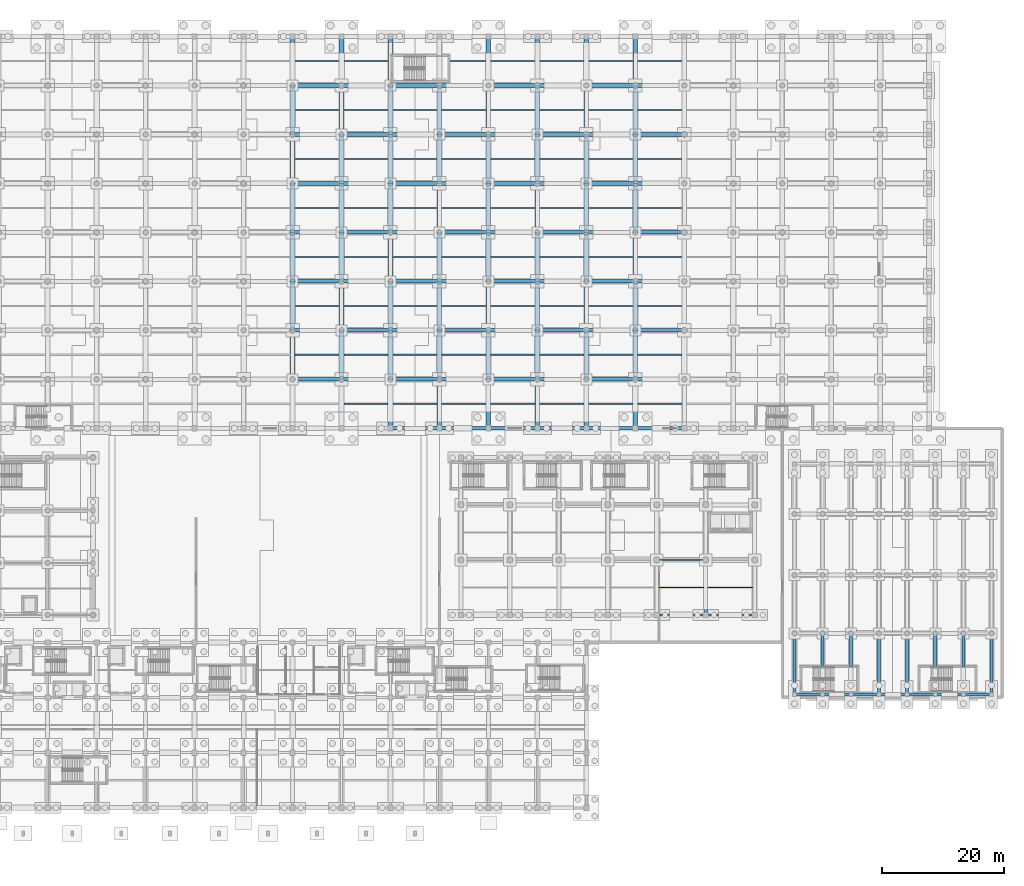
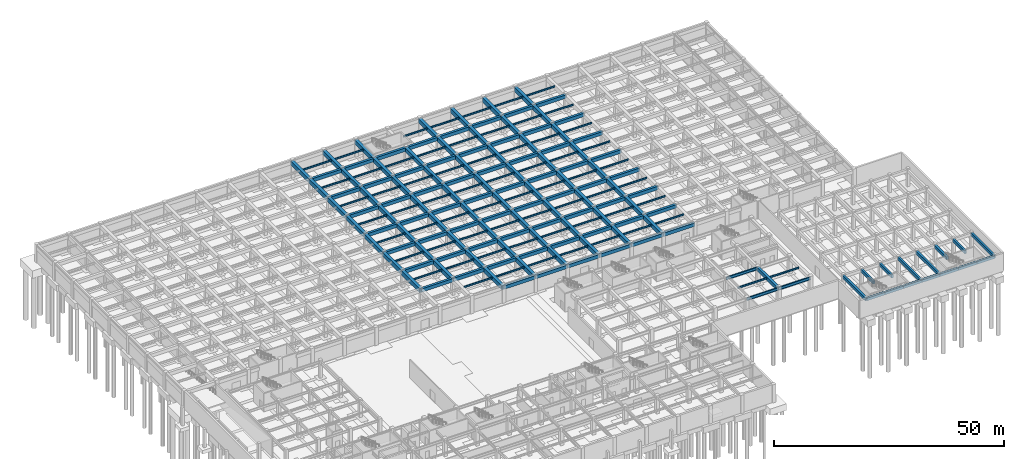
# One storey, part 21 of 48: 206 beams.
"""IFC4 building model written with IfcOpenShell, lengths in metres."""

from ifc_helpers import new_model, si_unit, direction, frame, origin, origin_2d, place, context, subcontext, project, spatial, rectangle, i_section, extrude, material, material_profile, profile_set, type_object, element, save


model = new_model("IFC4")

# Units and contexts
model_context = context("Model", 3, precision=1e-05, world=origin(), true_north=direction((0.0, 1.0)))
body_context = subcontext(model_context, "Body", "Model", "MODEL_VIEW")
ifc_project = project(units=[si_unit("LENGTHUNIT", "METRE"), si_unit("AREAUNIT", "SQUARE_METRE"), si_unit("VOLUMEUNIT", "CUBIC_METRE"), si_unit("PLANEANGLEUNIT", "RADIAN"), si_unit("MASSUNIT", "GRAM", prefix="KILO")], contexts=[model_context])

# Site, building, storey
site_placement = place(None, origin())
site = spatial("IfcSite", under=ifc_project, at=site_placement, CompositionType="ELEMENT")
building_placement = place(site_placement, origin())
building = spatial("IfcBuilding", under=site, at=building_placement, Name="Tlacozan Convention Centre", CompositionType="ELEMENT")
storey_placement = place(building_placement, frame((0.0, 0.0, -4.800048828125)))
storey = spatial("IfcBuildingStorey", under=building, at=storey_placement, Name="B01", CompositionType="ELEMENT", Elevation=-4.800048828125)

# Beams
ifc_material_1 = material(Name="Concrete C40/50", Category="concrete")
ifc_material_profile_1 = material_profile(ifc_material_1, rectangle(XDim=0.449951171875, YDim=0.75, at=origin_2d()), Name="RC 450x750")
ifc_profile_set_1 = profile_set([ifc_material_profile_1], Name="Concrete C40/50")
beam_type_1 = type_object("IfcBeamType", Name="Girder RC 450x750", PredefinedType="BEAM", material=ifc_profile_set_1)
beam_1_placement = place(storey_placement, frame((146.0, 18.5, 4.10498046875), z_axis=(1.0, 0.0, 0.0), x_axis=(0.0, 1.0, 0.0)))
element("IfcBeam", 1, at=beam_1_placement, inside=storey, type_object=beam_type_1, Name="B01 Girder RC 450x750 1533", PredefinedType="BEAM", context=body_context, shape_type="SweptSolid", body=[
    extrude(rectangle(XDim=0.449951171875, YDim=0.75, at=origin_2d()), origin(), (0.0, 0.0, 1.0), 4.60009765625),
])
beam_2_placement = place(storey_placement, frame((150.60009765625, 18.5, 4.10498046875), z_axis=(1.0, 0.0, 0.0), x_axis=(0.0, 1.0, 0.0)))
element("IfcBeam", 2, at=beam_2_placement, inside=storey, type_object=beam_type_1, Name="B01 Girder RC 450x750 1538", PredefinedType="BEAM", context=body_context, shape_type="SweptSolid", body=[
    extrude(rectangle(XDim=0.449951171875, YDim=0.75, at=origin_2d()), origin(), (0.0, 0.0, 1.0), 4.599853515625),
])
beam_3_placement = place(storey_placement, frame((155.199951171875, 18.5, 4.10498046875), z_axis=(1.0, 0.0, 0.0), x_axis=(0.0, 1.0, 0.0)))
element("IfcBeam", 3, at=beam_3_placement, inside=storey, type_object=beam_type_1, Name="B01 Girder RC 450x750 1543", PredefinedType="BEAM", context=body_context, shape_type="SweptSolid", body=[
    extrude(rectangle(XDim=0.449951171875, YDim=0.75, at=origin_2d()), origin(), (0.0, 0.0, 1.0), 4.60009765625),
])
beam_4_placement = place(storey_placement, frame((159.800048828125, 18.5, 4.10498046875), z_axis=(1.0, 0.0, 0.0), x_axis=(0.0, 1.0, 0.0)))
element("IfcBeam", 4, at=beam_4_placement, inside=storey, type_object=beam_type_1, Name="B01 Girder RC 450x750 1548", PredefinedType="BEAM", context=body_context, shape_type="SweptSolid", body=[
    extrude(rectangle(XDim=0.449951171875, YDim=0.75, at=origin_2d()), origin(), (0.0, 0.0, 1.0), 4.599853515625),
])
for number, where, z_axis, x_axis, name in (
    (5, (164.39990234375, 18.5, 4.10498046875), (1.0, 0.0, 0.0), (0.0, 1.0, 0.0), "B01 Girder RC 450x750 1553"),
    (6, (169.0, 18.5, 4.10498046875), (1.0, 0.0, 0.0), (0.0, 1.0, 0.0), "B01 Girder RC 450x750 1558"),
):
    element("IfcBeam", number, at=place(storey_placement, frame(where, z_axis=z_axis, x_axis=x_axis)), inside=storey, type_object=beam_type_1, Name=name, PredefinedType="BEAM", context=body_context, shape_type="SweptSolid", body=[
        extrude(rectangle(XDim=0.449951171875, YDim=0.75, at=origin_2d()), origin(), (0.0, 0.0, 1.0), 4.60009765625),
    ])
beam_5_placement = place(storey_placement, frame((173.60009765625, 18.5, 4.10498046875), z_axis=(1.0, 0.0, 0.0), x_axis=(0.0, 1.0, 0.0)))
element("IfcBeam", 7, at=beam_5_placement, inside=storey, type_object=beam_type_1, Name="B01 Girder RC 450x750 1563", PredefinedType="BEAM", context=body_context, shape_type="SweptSolid", body=[
    extrude(rectangle(XDim=0.449951171875, YDim=0.75, at=origin_2d()), origin(), (0.0, 0.0, 1.0), 4.599853515625),
])
ifc_material_profile_2 = material_profile(ifc_material_1, rectangle(XDim=0.5, YDim=0.800048828125, at=origin_2d()), Name="RC 500x800")
ifc_profile_set_2 = profile_set([ifc_material_profile_2], Name="Concrete C40/50")
beam_type_2 = type_object("IfcBeamType", Name="Girder RC 500x800", PredefinedType="BEAM", material=ifc_profile_set_2)
beam_6_placement = place(storey_placement, frame((146.0, 18.5, 4.080078125), z_axis=(0.0, 1.0, 0.0), x_axis=(-1.0, 0.0, 0.0)))
element("IfcBeam", 8, at=beam_6_placement, inside=storey, type_object=beam_type_2, Name="B01 Girder RC 500x800 1501", PredefinedType="BEAM", context=body_context, shape_type="SweptSolid", body=[
    extrude(rectangle(XDim=0.5, YDim=0.800048828125, at=origin_2d()), origin(), (0.0, 0.0, 1.0), 10.0),
])
for number, where, z_axis, x_axis, name in (
    (9, (150.60009765625, 23.1201171875, 4.080078125), (0.0, 1.0, 0.0), (-1.0, 0.0, 0.0), "B01 Girder RC 500x800 1505"),
    (10, (155.199951171875, 23.1201171875, 4.080078125), (0.0, 1.0, 0.0), (-1.0, 0.0, 0.0), "B01 Girder RC 500x800 1509"),
):
    element("IfcBeam", number, at=place(storey_placement, frame(where, z_axis=z_axis, x_axis=x_axis)), inside=storey, type_object=beam_type_2, Name=name, PredefinedType="BEAM", context=body_context, shape_type="SweptSolid", body=[
        extrude(rectangle(XDim=0.5, YDim=0.800048828125, at=origin_2d()), origin(), (0.0, 0.0, 1.0), 5.3798828125),
    ])
for number, where, z_axis, x_axis, name in (
    (11, (159.800048828125, 18.5, 4.080078125), (0.0, 1.0, 0.0), (-1.0, 0.0, 0.0), "B01 Girder RC 500x800 1513"),
    (12, (164.39990234375, 18.5, 4.080078125), (0.0, 1.0, 0.0), (-1.0, 0.0, 0.0), "B01 Girder RC 500x800 1517"),
):
    element("IfcBeam", number, at=place(storey_placement, frame(where, z_axis=z_axis, x_axis=x_axis)), inside=storey, type_object=beam_type_2, Name=name, PredefinedType="BEAM", context=body_context, shape_type="SweptSolid", body=[
        extrude(rectangle(XDim=0.5, YDim=0.800048828125, at=origin_2d()), origin(), (0.0, 0.0, 1.0), 10.0),
    ])
for number, where, z_axis, x_axis, name in (
    (13, (169.0, 23.1201171875, 4.080078125), (0.0, 1.0, 0.0), (-1.0, 0.0, 0.0), "B01 Girder RC 500x800 1521"),
    (14, (173.60009765625, 23.1201171875, 4.080078125), (0.0, 1.0, 0.0), (-1.0, 0.0, 0.0), "B01 Girder RC 500x800 1525"),
):
    element("IfcBeam", number, at=place(storey_placement, frame(where, z_axis=z_axis, x_axis=x_axis)), inside=storey, type_object=beam_type_2, Name=name, PredefinedType="BEAM", context=body_context, shape_type="SweptSolid", body=[
        extrude(rectangle(XDim=0.5, YDim=0.800048828125, at=origin_2d()), origin(), (0.0, 0.0, 1.0), 5.3798828125),
    ])
beam_7_placement = place(storey_placement, frame((178.199951171875, 18.5, 4.080078125), z_axis=(0.0, 1.0, 0.0), x_axis=(-1.0, 0.0, 0.0)))
element("IfcBeam", 15, at=beam_7_placement, inside=storey, type_object=beam_type_2, Name="B01 Girder RC 500x800 1529", PredefinedType="BEAM", context=body_context, shape_type="SweptSolid", body=[
    extrude(rectangle(XDim=0.5, YDim=0.800048828125, at=origin_2d()), origin(), (0.0, 0.0, 1.0), 10.0),
])
ifc_material_profile_3 = material_profile(ifc_material_1, rectangle(XDim=0.60009765625, YDim=0.89990234375, at=origin_2d()), Name="RC 600x900")
ifc_profile_set_3 = profile_set([ifc_material_profile_3], Name="Concrete C40/50")
beam_type_3 = type_object("IfcBeamType", Name="Girder RC 600x900", PredefinedType="BEAM", material=ifc_profile_set_3)
for number, where, z_axis, x_axis, name in (
    (16, (64.0, 70.0, 3.969970703125), (1.0, 0.0, 0.0), (0.0, 1.0, 0.0), "B01 Girder RC 600x900 1082"),
    (17, (64.0, 78.0, 3.969970703125), (1.0, 0.0, 0.0), (0.0, 1.0, 0.0), "B01 Girder RC 600x900 1083"),
    (18, (64.0, 86.0, 3.969970703125), (1.0, 0.0, 0.0), (0.0, 1.0, 0.0), "B01 Girder RC 600x900 1084"),
    (19, (64.0, 94.0, 3.969970703125), (1.0, 0.0, 0.0), (0.0, 1.0, 0.0), "B01 Girder RC 600x900 1085"),
    (20, (64.0, 102.0, 3.969970703125), (1.0, 0.0, 0.0), (0.0, 1.0, 0.0), "B01 Girder RC 600x900 1086"),
    (21, (64.0, 110.0, 3.969970703125), (1.0, 0.0, 0.0), (0.0, 1.0, 0.0), "B01 Girder RC 600x900 1087"),
    (22, (64.0, 118.0, 3.969970703125), (1.0, 0.0, 0.0), (0.0, 1.0, 0.0), "B01 Girder RC 600x900 1088"),
    (23, (72.0, 70.0, 3.969970703125), (1.0, 0.0, 0.0), (0.0, 1.0, 0.0), "B01 Girder RC 600x900 1099"),
    (24, (72.0, 78.0, 3.969970703125), (1.0, 0.0, 0.0), (0.0, 1.0, 0.0), "B01 Girder RC 600x900 1100"),
    (25, (72.0, 86.0, 3.969970703125), (1.0, 0.0, 0.0), (0.0, 1.0, 0.0), "B01 Girder RC 600x900 1101"),
    (26, (72.0, 94.0, 3.969970703125), (1.0, 0.0, 0.0), (0.0, 1.0, 0.0), "B01 Girder RC 600x900 1102"),
    (27, (72.0, 102.0, 3.969970703125), (1.0, 0.0, 0.0), (0.0, 1.0, 0.0), "B01 Girder RC 600x900 1103"),
    (28, (72.0, 110.0, 3.969970703125), (1.0, 0.0, 0.0), (0.0, 1.0, 0.0), "B01 Girder RC 600x900 1104"),
    (29, (72.0, 118.0, 3.969970703125), (1.0, 0.0, 0.0), (0.0, 1.0, 0.0), "B01 Girder RC 600x900 1105"),
    (30, (80.0, 62.0, 3.969970703125), (1.0, 0.0, 0.0), (0.0, 1.0, 0.0), "B01 Girder RC 600x900 1115"),
    (31, (80.0, 70.0, 3.969970703125), (1.0, 0.0, 0.0), (0.0, 1.0, 0.0), "B01 Girder RC 600x900 1116"),
    (32, (80.0, 78.0, 3.969970703125), (1.0, 0.0, 0.0), (0.0, 1.0, 0.0), "B01 Girder RC 600x900 1117"),
    (33, (80.0, 86.0, 3.969970703125), (1.0, 0.0, 0.0), (0.0, 1.0, 0.0), "B01 Girder RC 600x900 1118"),
    (34, (80.0, 94.0, 3.969970703125), (1.0, 0.0, 0.0), (0.0, 1.0, 0.0), "B01 Girder RC 600x900 1119"),
    (35, (80.0, 102.0, 3.969970703125), (1.0, 0.0, 0.0), (0.0, 1.0, 0.0), "B01 Girder RC 600x900 1120"),
    (36, (80.0, 110.0, 3.969970703125), (1.0, 0.0, 0.0), (0.0, 1.0, 0.0), "B01 Girder RC 600x900 1121"),
    (37, (80.0, 118.0, 3.969970703125), (1.0, 0.0, 0.0), (0.0, 1.0, 0.0), "B01 Girder RC 600x900 1122"),
    (38, (88.0, 62.0, 3.969970703125), (1.0, 0.0, 0.0), (0.0, 1.0, 0.0), "B01 Girder RC 600x900 1131"),
    (39, (88.0, 70.0, 3.969970703125), (1.0, 0.0, 0.0), (0.0, 1.0, 0.0), "B01 Girder RC 600x900 1132"),
    (40, (88.0, 78.0, 3.969970703125), (1.0, 0.0, 0.0), (0.0, 1.0, 0.0), "B01 Girder RC 600x900 1133"),
    (41, (88.0, 86.0, 3.969970703125), (1.0, 0.0, 0.0), (0.0, 1.0, 0.0), "B01 Girder RC 600x900 1134"),
    (42, (88.0, 94.0, 3.969970703125), (1.0, 0.0, 0.0), (0.0, 1.0, 0.0), "B01 Girder RC 600x900 1135"),
    (43, (88.0, 102.0, 3.969970703125), (1.0, 0.0, 0.0), (0.0, 1.0, 0.0), "B01 Girder RC 600x900 1136"),
    (44, (88.0, 110.0, 3.969970703125), (1.0, 0.0, 0.0), (0.0, 1.0, 0.0), "B01 Girder RC 600x900 1137"),
    (45, (88.0, 118.0, 3.969970703125), (1.0, 0.0, 0.0), (0.0, 1.0, 0.0), "B01 Girder RC 600x900 1138"),
    (46, (96.0, 62.0, 3.969970703125), (1.0, 0.0, 0.0), (0.0, 1.0, 0.0), "B01 Girder RC 600x900 1148"),
    (47, (96.0, 70.0, 3.969970703125), (1.0, 0.0, 0.0), (0.0, 1.0, 0.0), "B01 Girder RC 600x900 1149"),
    (48, (96.0, 78.0, 3.969970703125), (1.0, 0.0, 0.0), (0.0, 1.0, 0.0), "B01 Girder RC 600x900 1150"),
    (49, (96.0, 86.0, 3.969970703125), (1.0, 0.0, 0.0), (0.0, 1.0, 0.0), "B01 Girder RC 600x900 1151"),
    (50, (96.0, 94.0, 3.969970703125), (1.0, 0.0, 0.0), (0.0, 1.0, 0.0), "B01 Girder RC 600x900 1152"),
    (51, (96.0, 102.0, 3.969970703125), (1.0, 0.0, 0.0), (0.0, 1.0, 0.0), "B01 Girder RC 600x900 1153"),
    (52, (96.0, 110.0, 3.969970703125), (1.0, 0.0, 0.0), (0.0, 1.0, 0.0), "B01 Girder RC 600x900 1154"),
    (53, (96.0, 118.0, 3.969970703125), (1.0, 0.0, 0.0), (0.0, 1.0, 0.0), "B01 Girder RC 600x900 1155"),
    (54, (104.0, 62.0, 3.969970703125), (1.0, 0.0, 0.0), (0.0, 1.0, 0.0), "B01 Girder RC 600x900 1165"),
    (55, (104.0, 70.0, 3.969970703125), (1.0, 0.0, 0.0), (0.0, 1.0, 0.0), "B01 Girder RC 600x900 1166"),
    (56, (104.0, 78.0, 3.969970703125), (1.0, 0.0, 0.0), (0.0, 1.0, 0.0), "B01 Girder RC 600x900 1167"),
    (57, (104.0, 86.0, 3.969970703125), (1.0, 0.0, 0.0), (0.0, 1.0, 0.0), "B01 Girder RC 600x900 1168"),
    (58, (104.0, 94.0, 3.969970703125), (1.0, 0.0, 0.0), (0.0, 1.0, 0.0), "B01 Girder RC 600x900 1169"),
    (59, (104.0, 102.0, 3.969970703125), (1.0, 0.0, 0.0), (0.0, 1.0, 0.0), "B01 Girder RC 600x900 1170"),
    (60, (104.0, 110.0, 3.969970703125), (1.0, 0.0, 0.0), (0.0, 1.0, 0.0), "B01 Girder RC 600x900 1171"),
    (61, (104.0, 118.0, 3.969970703125), (1.0, 0.0, 0.0), (0.0, 1.0, 0.0), "B01 Girder RC 600x900 1172"),
    (62, (112.0, 62.0, 3.969970703125), (1.0, 0.0, 0.0), (0.0, 1.0, 0.0), "B01 Girder RC 600x900 1182"),
    (63, (112.0, 70.0, 3.969970703125), (1.0, 0.0, 0.0), (0.0, 1.0, 0.0), "B01 Girder RC 600x900 1183"),
    (64, (112.0, 78.0, 3.969970703125), (1.0, 0.0, 0.0), (0.0, 1.0, 0.0), "B01 Girder RC 600x900 1184"),
    (65, (112.0, 86.0, 3.969970703125), (1.0, 0.0, 0.0), (0.0, 1.0, 0.0), "B01 Girder RC 600x900 1185"),
    (66, (112.0, 94.0, 3.969970703125), (1.0, 0.0, 0.0), (0.0, 1.0, 0.0), "B01 Girder RC 600x900 1186"),
    (67, (112.0, 102.0, 3.969970703125), (1.0, 0.0, 0.0), (0.0, 1.0, 0.0), "B01 Girder RC 600x900 1187"),
    (68, (112.0, 110.0, 3.969970703125), (1.0, 0.0, 0.0), (0.0, 1.0, 0.0), "B01 Girder RC 600x900 1188"),
    (69, (112.0, 118.0, 3.969970703125), (1.0, 0.0, 0.0), (0.0, 1.0, 0.0), "B01 Girder RC 600x900 1189"),
    (70, (120.0, 62.0, 3.969970703125), (1.0, 0.0, 0.0), (0.0, 1.0, 0.0), "B01 Girder RC 600x900 1199"),
    (71, (120.0, 70.0, 3.969970703125), (1.0, 0.0, 0.0), (0.0, 1.0, 0.0), "B01 Girder RC 600x900 1200"),
    (72, (120.0, 78.0, 3.969970703125), (1.0, 0.0, 0.0), (0.0, 1.0, 0.0), "B01 Girder RC 600x900 1201"),
    (73, (120.0, 86.0, 3.969970703125), (1.0, 0.0, 0.0), (0.0, 1.0, 0.0), "B01 Girder RC 600x900 1202"),
    (74, (120.0, 94.0, 3.969970703125), (1.0, 0.0, 0.0), (0.0, 1.0, 0.0), "B01 Girder RC 600x900 1203"),
    (75, (120.0, 102.0, 3.969970703125), (1.0, 0.0, 0.0), (0.0, 1.0, 0.0), "B01 Girder RC 600x900 1204"),
    (76, (120.0, 110.0, 3.969970703125), (1.0, 0.0, 0.0), (0.0, 1.0, 0.0), "B01 Girder RC 600x900 1205"),
    (77, (120.0, 118.0, 3.969970703125), (1.0, 0.0, 0.0), (0.0, 1.0, 0.0), "B01 Girder RC 600x900 1206"),
):
    element("IfcBeam", number, at=place(storey_placement, frame(where, z_axis=z_axis, x_axis=x_axis)), inside=storey, type_object=beam_type_3, Name=name, PredefinedType="BEAM", context=body_context, shape_type="SweptSolid", body=[
        extrude(rectangle(XDim=0.60009765625, YDim=0.89990234375, at=origin_2d()), origin(), (0.0, 0.0, 1.0), 8.0),
    ])
beam_8_placement = place(storey_placement, frame((131.5, 31.5, 3.989990234375), z_axis=(0.0, 1.0, 0.0), x_axis=(-1.0, 0.0, 0.0)))
element("IfcBeam", 78, at=beam_8_placement, inside=storey, type_object=beam_type_3, Name="B01 Girder RC 600x900 1366", PredefinedType="BEAM", context=body_context, shape_type="SweptSolid", body=[
    extrude(rectangle(XDim=0.60009765625, YDim=0.89990234375, at=origin_2d()), origin(), (0.0, 0.0, 1.0), 9.0),
])
ifc_material_profile_4 = material_profile(ifc_material_1, rectangle(XDim=0.75, YDim=1.10009765625, at=origin_2d()), Name="RC 750x1100")
ifc_profile_set_4 = profile_set([ifc_material_profile_4], Name="Concrete C40/50")
beam_type_4 = type_object("IfcBeamType", Name="Girder RC 750x1100", PredefinedType="BEAM", material=ifc_profile_set_4)
for number, where, z_axis, x_axis, name in (
    (79, (64.0, 70.0, 3.8701171875), (0.0, 1.0, 0.0), (-1.0, 0.0, 0.0), "B01 Girder RC 750x1100 834"),
    (80, (64.0, 78.0, 3.8701171875), (0.0, 1.0, 0.0), (-1.0, 0.0, 0.0), "B01 Girder RC 750x1100 835"),
    (81, (64.0, 86.0, 3.8701171875), (0.0, 1.0, 0.0), (-1.0, 0.0, 0.0), "B01 Girder RC 750x1100 836"),
    (82, (64.0, 94.0, 3.8701171875), (0.0, 1.0, 0.0), (-1.0, 0.0, 0.0), "B01 Girder RC 750x1100 837"),
    (83, (64.0, 102.0, 3.8701171875), (0.0, 1.0, 0.0), (-1.0, 0.0, 0.0), "B01 Girder RC 750x1100 838"),
    (84, (64.0, 110.0, 3.8701171875), (0.0, 1.0, 0.0), (-1.0, 0.0, 0.0), "B01 Girder RC 750x1100 839"),
    (85, (64.0, 118.0, 3.8701171875), (0.0, 1.0, 0.0), (-1.0, 0.0, 0.0), "B01 Girder RC 750x1100 840"),
    (86, (72.0, 70.0, 3.8701171875), (0.0, 1.0, 0.0), (-1.0, 0.0, 0.0), "B01 Girder RC 750x1100 842"),
    (87, (72.0, 78.0, 3.8701171875), (0.0, 1.0, 0.0), (-1.0, 0.0, 0.0), "B01 Girder RC 750x1100 843"),
    (88, (72.0, 86.0, 3.8701171875), (0.0, 1.0, 0.0), (-1.0, 0.0, 0.0), "B01 Girder RC 750x1100 844"),
    (89, (72.0, 94.0, 3.8701171875), (0.0, 1.0, 0.0), (-1.0, 0.0, 0.0), "B01 Girder RC 750x1100 845"),
    (90, (72.0, 102.0, 3.8701171875), (0.0, 1.0, 0.0), (-1.0, 0.0, 0.0), "B01 Girder RC 750x1100 846"),
    (91, (72.0, 110.0, 3.8701171875), (0.0, 1.0, 0.0), (-1.0, 0.0, 0.0), "B01 Girder RC 750x1100 847"),
    (92, (72.0, 118.0, 3.8701171875), (0.0, 1.0, 0.0), (-1.0, 0.0, 0.0), "B01 Girder RC 750x1100 848"),
    (93, (80.0, 62.0, 3.8701171875), (0.0, 1.0, 0.0), (-1.0, 0.0, 0.0), "B01 Girder RC 750x1100 849"),
    (94, (80.0, 70.0, 3.8701171875), (0.0, 1.0, 0.0), (-1.0, 0.0, 0.0), "B01 Girder RC 750x1100 850"),
    (95, (80.0, 78.0, 3.8701171875), (0.0, 1.0, 0.0), (-1.0, 0.0, 0.0), "B01 Girder RC 750x1100 851"),
    (96, (80.0, 86.0, 3.8701171875), (0.0, 1.0, 0.0), (-1.0, 0.0, 0.0), "B01 Girder RC 750x1100 852"),
    (97, (80.0, 94.0, 3.8701171875), (0.0, 1.0, 0.0), (-1.0, 0.0, 0.0), "B01 Girder RC 750x1100 853"),
    (98, (80.0, 102.0, 3.8701171875), (0.0, 1.0, 0.0), (-1.0, 0.0, 0.0), "B01 Girder RC 750x1100 854"),
    (99, (80.0, 110.0, 3.8701171875), (0.0, 1.0, 0.0), (-1.0, 0.0, 0.0), "B01 Girder RC 750x1100 855"),
    (100, (80.0, 118.0, 3.8701171875), (0.0, 1.0, 0.0), (-1.0, 0.0, 0.0), "B01 Girder RC 750x1100 856"),
    (101, (88.0, 62.0, 3.8701171875), (0.0, 1.0, 0.0), (-1.0, 0.0, 0.0), "B01 Girder RC 750x1100 857"),
    (102, (88.0, 70.0, 3.8701171875), (0.0, 1.0, 0.0), (-1.0, 0.0, 0.0), "B01 Girder RC 750x1100 858"),
    (103, (88.0, 78.0, 3.8701171875), (0.0, 1.0, 0.0), (-1.0, 0.0, 0.0), "B01 Girder RC 750x1100 859"),
    (104, (88.0, 86.0, 3.8701171875), (0.0, 1.0, 0.0), (-1.0, 0.0, 0.0), "B01 Girder RC 750x1100 860"),
    (105, (88.0, 94.0, 3.8701171875), (0.0, 1.0, 0.0), (-1.0, 0.0, 0.0), "B01 Girder RC 750x1100 861"),
    (106, (88.0, 102.0, 3.8701171875), (0.0, 1.0, 0.0), (-1.0, 0.0, 0.0), "B01 Girder RC 750x1100 862"),
    (107, (88.0, 110.0, 3.8701171875), (0.0, 1.0, 0.0), (-1.0, 0.0, 0.0), "B01 Girder RC 750x1100 863"),
    (108, (96.0, 62.0, 3.8701171875), (0.0, 1.0, 0.0), (-1.0, 0.0, 0.0), "B01 Girder RC 750x1100 865"),
    (109, (96.0, 70.0, 3.8701171875), (0.0, 1.0, 0.0), (-1.0, 0.0, 0.0), "B01 Girder RC 750x1100 866"),
    (110, (96.0, 78.0, 3.8701171875), (0.0, 1.0, 0.0), (-1.0, 0.0, 0.0), "B01 Girder RC 750x1100 867"),
    (111, (96.0, 86.0, 3.8701171875), (0.0, 1.0, 0.0), (-1.0, 0.0, 0.0), "B01 Girder RC 750x1100 868"),
    (112, (96.0, 94.0, 3.8701171875), (0.0, 1.0, 0.0), (-1.0, 0.0, 0.0), "B01 Girder RC 750x1100 869"),
    (113, (96.0, 102.0, 3.8701171875), (0.0, 1.0, 0.0), (-1.0, 0.0, 0.0), "B01 Girder RC 750x1100 870"),
    (114, (96.0, 110.0, 3.8701171875), (0.0, 1.0, 0.0), (-1.0, 0.0, 0.0), "B01 Girder RC 750x1100 871"),
    (115, (96.0, 118.0, 3.8701171875), (0.0, 1.0, 0.0), (-1.0, 0.0, 0.0), "B01 Girder RC 750x1100 872"),
    (116, (104.0, 62.0, 3.8701171875), (0.0, 1.0, 0.0), (-1.0, 0.0, 0.0), "B01 Girder RC 750x1100 873"),
    (117, (104.0, 70.0, 3.8701171875), (0.0, 1.0, 0.0), (-1.0, 0.0, 0.0), "B01 Girder RC 750x1100 874"),
    (118, (104.0, 78.0, 3.8701171875), (0.0, 1.0, 0.0), (-1.0, 0.0, 0.0), "B01 Girder RC 750x1100 875"),
    (119, (104.0, 86.0, 3.8701171875), (0.0, 1.0, 0.0), (-1.0, 0.0, 0.0), "B01 Girder RC 750x1100 876"),
    (120, (104.0, 94.0, 3.8701171875), (0.0, 1.0, 0.0), (-1.0, 0.0, 0.0), "B01 Girder RC 750x1100 877"),
    (121, (104.0, 102.0, 3.8701171875), (0.0, 1.0, 0.0), (-1.0, 0.0, 0.0), "B01 Girder RC 750x1100 878"),
    (122, (104.0, 110.0, 3.8701171875), (0.0, 1.0, 0.0), (-1.0, 0.0, 0.0), "B01 Girder RC 750x1100 879"),
    (123, (104.0, 118.0, 3.8701171875), (0.0, 1.0, 0.0), (-1.0, 0.0, 0.0), "B01 Girder RC 750x1100 880"),
    (124, (112.0, 62.0, 3.8701171875), (0.0, 1.0, 0.0), (-1.0, 0.0, 0.0), "B01 Girder RC 750x1100 881"),
    (125, (112.0, 70.0, 3.8701171875), (0.0, 1.0, 0.0), (-1.0, 0.0, 0.0), "B01 Girder RC 750x1100 882"),
    (126, (112.0, 78.0, 3.8701171875), (0.0, 1.0, 0.0), (-1.0, 0.0, 0.0), "B01 Girder RC 750x1100 883"),
    (127, (112.0, 86.0, 3.8701171875), (0.0, 1.0, 0.0), (-1.0, 0.0, 0.0), "B01 Girder RC 750x1100 884"),
    (128, (112.0, 94.0, 3.8701171875), (0.0, 1.0, 0.0), (-1.0, 0.0, 0.0), "B01 Girder RC 750x1100 885"),
    (129, (112.0, 102.0, 3.8701171875), (0.0, 1.0, 0.0), (-1.0, 0.0, 0.0), "B01 Girder RC 750x1100 886"),
    (130, (112.0, 110.0, 3.8701171875), (0.0, 1.0, 0.0), (-1.0, 0.0, 0.0), "B01 Girder RC 750x1100 887"),
    (131, (112.0, 118.0, 3.8701171875), (0.0, 1.0, 0.0), (-1.0, 0.0, 0.0), "B01 Girder RC 750x1100 888"),
    (132, (120.0, 62.0, 3.8701171875), (0.0, 1.0, 0.0), (-1.0, 0.0, 0.0), "B01 Girder RC 750x1100 889"),
    (133, (120.0, 70.0, 3.8701171875), (0.0, 1.0, 0.0), (-1.0, 0.0, 0.0), "B01 Girder RC 750x1100 890"),
    (134, (120.0, 78.0, 3.8701171875), (0.0, 1.0, 0.0), (-1.0, 0.0, 0.0), "B01 Girder RC 750x1100 891"),
    (135, (120.0, 86.0, 3.8701171875), (0.0, 1.0, 0.0), (-1.0, 0.0, 0.0), "B01 Girder RC 750x1100 892"),
    (136, (120.0, 94.0, 3.8701171875), (0.0, 1.0, 0.0), (-1.0, 0.0, 0.0), "B01 Girder RC 750x1100 893"),
    (137, (120.0, 102.0, 3.8701171875), (0.0, 1.0, 0.0), (-1.0, 0.0, 0.0), "B01 Girder RC 750x1100 894"),
    (138, (120.0, 110.0, 3.8701171875), (0.0, 1.0, 0.0), (-1.0, 0.0, 0.0), "B01 Girder RC 750x1100 895"),
    (139, (120.0, 118.0, 3.8701171875), (0.0, 1.0, 0.0), (-1.0, 0.0, 0.0), "B01 Girder RC 750x1100 896"),
):
    element("IfcBeam", number, at=place(storey_placement, frame(where, z_axis=z_axis, x_axis=x_axis)), inside=storey, type_object=beam_type_4, Name=name, PredefinedType="BEAM", context=body_context, shape_type="SweptSolid", body=[
        extrude(rectangle(XDim=0.75, YDim=1.10009765625, at=origin_2d()), origin(), (0.0, 0.0, 1.0), 8.0),
    ])
ifc_material_2 = material(Name="Steel ASTM A992 Grade 50", Category="steel")
ifc_material_profile_5 = material_profile(ifc_material_2, i_section(OverallWidth=0.26806640625, OverallDepth=0.77001953125, WebThickness=0.015625, FlangeThickness=0.025390625, FilletRadius=0.01708984375, at=origin_2d()), Name="IR 762x196.0")
ifc_profile_set_5 = profile_set([ifc_material_profile_5], Name="Steel ASTM A992 Grade 50")
beam_type_5 = type_object("IfcBeamType", Name="Girder Steel IR 762x196", PredefinedType="BEAM", material=ifc_profile_set_5)
for number, where, z_axis, x_axis, name in (
    (140, (123.5, 31.5, 4.054931640625), (1.0, 0.0, 0.0), (0.0, 1.0, 0.0), "B01 Girder Steel IR 762x196 1396"),
    (141, (123.5, 40.5, 4.054931640625), (1.0, 0.0, 0.0), (0.0, 1.0, 0.0), "B01 Girder Steel IR 762x196 1397"),
    (142, (131.5, 31.5, 4.054931640625), (1.0, 0.0, 0.0), (0.0, 1.0, 0.0), "B01 Girder Steel IR 762x196 1402"),
):
    element("IfcBeam", number, at=place(storey_placement, frame(where, z_axis=z_axis, x_axis=x_axis)), inside=storey, type_object=beam_type_5, Name=name, PredefinedType="BEAM", context=body_context, shape_type="SweptSolid", body=[
        extrude(i_section(OverallWidth=0.26806640625, OverallDepth=0.77001953125, WebThickness=0.015625, FlangeThickness=0.025390625, FilletRadius=0.01708984375, at=origin_2d()), origin(), (0.0, 0.0, 1.0), 8.0),
    ])
ifc_material_profile_6 = material_profile(ifc_material_2, i_section(OverallWidth=0.19189453125, OverallDepth=0.462890625, WebThickness=0.010498046875, FlangeThickness=0.017578125, FilletRadius=0.010986328125, at=origin_2d()), Name="IR 457x89.3")
ifc_profile_set_6 = profile_set([ifc_material_profile_6], Name="Steel ASTM A992 Grade 50")
beam_type_6 = type_object("IfcBeamType", Name="Secondary Joist IR 457x89.3", PredefinedType="JOIST", material=ifc_profile_set_6)
for number, where, z_axis, x_axis, name in (
    (143, (64.373046875, 74.0, 4.1884765625), (1.0, 0.0, 0.0), (0.0, 1.0, 0.0), "B01 Secondary Joist IR 457x89.3 1091"),
    (144, (64.373046875, 82.0, 4.1884765625), (1.0, 0.0, 0.0), (0.0, 1.0, 0.0), "B01 Secondary Joist IR 457x89.3 1092"),
    (145, (64.373046875, 90.0, 4.1884765625), (1.0, 0.0, 0.0), (0.0, 1.0, 0.0), "B01 Secondary Joist IR 457x89.3 1093"),
    (146, (64.373046875, 98.0, 4.1884765625), (1.0, 0.0, 0.0), (0.0, 1.0, 0.0), "B01 Secondary Joist IR 457x89.3 1094"),
    (147, (64.373046875, 106.0, 4.1884765625), (1.0, 0.0, 0.0), (0.0, 1.0, 0.0), "B01 Secondary Joist IR 457x89.3 1095"),
    (148, (64.373046875, 114.0, 4.1884765625), (1.0, 0.0, 0.0), (0.0, 1.0, 0.0), "B01 Secondary Joist IR 457x89.3 1096"),
    (149, (64.373046875, 122.0, 4.1884765625), (1.0, 0.0, 0.0), (0.0, 1.0, 0.0), "B01 Secondary Joist IR 457x89.3 1097"),
    (150, (72.373046875, 66.0, 4.1884765625), (1.0, 0.0, 0.0), (0.0, 1.0, 0.0), "B01 Secondary Joist IR 457x89.3 1107"),
    (151, (72.373046875, 74.0, 4.1884765625), (1.0, 0.0, 0.0), (0.0, 1.0, 0.0), "B01 Secondary Joist IR 457x89.3 1108"),
    (152, (72.373046875, 82.0, 4.1884765625), (1.0, 0.0, 0.0), (0.0, 1.0, 0.0), "B01 Secondary Joist IR 457x89.3 1109"),
    (153, (72.373046875, 90.0, 4.1884765625), (1.0, 0.0, 0.0), (0.0, 1.0, 0.0), "B01 Secondary Joist IR 457x89.3 1110"),
    (154, (72.373046875, 98.0, 4.1884765625), (1.0, 0.0, 0.0), (0.0, 1.0, 0.0), "B01 Secondary Joist IR 457x89.3 1111"),
    (155, (72.373046875, 106.0, 4.1884765625), (1.0, 0.0, 0.0), (0.0, 1.0, 0.0), "B01 Secondary Joist IR 457x89.3 1112"),
    (156, (72.373046875, 114.0, 4.1884765625), (1.0, 0.0, 0.0), (0.0, 1.0, 0.0), "B01 Secondary Joist IR 457x89.3 1113"),
    (157, (72.373046875, 122.0, 4.1884765625), (1.0, 0.0, 0.0), (0.0, 1.0, 0.0), "B01 Secondary Joist IR 457x89.3 1114"),
    (158, (80.373046875, 66.0, 4.1884765625), (1.0, 0.0, 0.0), (0.0, 1.0, 0.0), "B01 Secondary Joist IR 457x89.3 1124"),
    (159, (80.373046875, 74.0, 4.1884765625), (1.0, 0.0, 0.0), (0.0, 1.0, 0.0), "B01 Secondary Joist IR 457x89.3 1125"),
    (160, (80.373046875, 82.0, 4.1884765625), (1.0, 0.0, 0.0), (0.0, 1.0, 0.0), "B01 Secondary Joist IR 457x89.3 1126"),
    (161, (80.373046875, 90.0, 4.1884765625), (1.0, 0.0, 0.0), (0.0, 1.0, 0.0), "B01 Secondary Joist IR 457x89.3 1127"),
    (162, (80.373046875, 98.0, 4.1884765625), (1.0, 0.0, 0.0), (0.0, 1.0, 0.0), "B01 Secondary Joist IR 457x89.3 1128"),
    (163, (80.373046875, 106.0, 4.1884765625), (1.0, 0.0, 0.0), (0.0, 1.0, 0.0), "B01 Secondary Joist IR 457x89.3 1129"),
    (164, (80.373046875, 114.0, 4.1884765625), (1.0, 0.0, 0.0), (0.0, 1.0, 0.0), "B01 Secondary Joist IR 457x89.3 1130"),
    (165, (88.373046875, 66.0, 4.1884765625), (1.0, 0.0, 0.0), (0.0, 1.0, 0.0), "B01 Secondary Joist IR 457x89.3 1140"),
    (166, (88.373046875, 74.0, 4.1884765625), (1.0, 0.0, 0.0), (0.0, 1.0, 0.0), "B01 Secondary Joist IR 457x89.3 1141"),
    (167, (88.373046875, 82.0, 4.1884765625), (1.0, 0.0, 0.0), (0.0, 1.0, 0.0), "B01 Secondary Joist IR 457x89.3 1142"),
    (168, (88.373046875, 90.0, 4.1884765625), (1.0, 0.0, 0.0), (0.0, 1.0, 0.0), "B01 Secondary Joist IR 457x89.3 1143"),
    (169, (88.373046875, 98.0, 4.1884765625), (1.0, 0.0, 0.0), (0.0, 1.0, 0.0), "B01 Secondary Joist IR 457x89.3 1144"),
    (170, (88.373046875, 106.0, 4.1884765625), (1.0, 0.0, 0.0), (0.0, 1.0, 0.0), "B01 Secondary Joist IR 457x89.3 1145"),
    (171, (88.373046875, 114.0, 4.1884765625), (1.0, 0.0, 0.0), (0.0, 1.0, 0.0), "B01 Secondary Joist IR 457x89.3 1146"),
):
    element("IfcBeam", number, at=place(storey_placement, frame(where, z_axis=z_axis, x_axis=x_axis)), inside=storey, type_object=beam_type_6, Name=name, PredefinedType="JOIST", context=body_context, shape_type="SweptSolid", body=[
        extrude(i_section(OverallWidth=0.19189453125, OverallDepth=0.462890625, WebThickness=0.010498046875, FlangeThickness=0.017578125, FilletRadius=0.010986328125, at=origin_2d()), origin(), (0.0, 0.0, 1.0), 7.25390625),
    ])
beam_9_placement = place(storey_placement, frame((89.56005859375, 122.0, 4.1884765625), z_axis=(1.0, 0.0, 0.0), x_axis=(0.0, 1.0, 0.0)))
element("IfcBeam", 172, at=beam_9_placement, inside=storey, type_object=beam_type_6, Name="B01 Secondary Joist IR 457x89.3 1147", PredefinedType="JOIST", context=body_context, shape_type="SweptSolid", body=[
    extrude(i_section(OverallWidth=0.19189453125, OverallDepth=0.462890625, WebThickness=0.010498046875, FlangeThickness=0.017578125, FilletRadius=0.010986328125, at=origin_2d()), origin(), (0.0, 0.0, 1.0), 6.06689453125),
])
for number, where, z_axis, x_axis, name in (
    (173, (96.373046875, 66.0, 4.1884765625), (1.0, 0.0, 0.0), (0.0, 1.0, 0.0), "B01 Secondary Joist IR 457x89.3 1157"),
    (174, (96.373046875, 74.0, 4.1884765625), (1.0, 0.0, 0.0), (0.0, 1.0, 0.0), "B01 Secondary Joist IR 457x89.3 1158"),
    (175, (96.373046875, 82.0, 4.1884765625), (1.0, 0.0, 0.0), (0.0, 1.0, 0.0), "B01 Secondary Joist IR 457x89.3 1159"),
    (176, (96.373046875, 90.0, 4.1884765625), (1.0, 0.0, 0.0), (0.0, 1.0, 0.0), "B01 Secondary Joist IR 457x89.3 1160"),
    (177, (96.373046875, 98.0, 4.1884765625), (1.0, 0.0, 0.0), (0.0, 1.0, 0.0), "B01 Secondary Joist IR 457x89.3 1161"),
    (178, (96.373046875, 106.0, 4.1884765625), (1.0, 0.0, 0.0), (0.0, 1.0, 0.0), "B01 Secondary Joist IR 457x89.3 1162"),
    (179, (96.373046875, 114.0, 4.1884765625), (1.0, 0.0, 0.0), (0.0, 1.0, 0.0), "B01 Secondary Joist IR 457x89.3 1163"),
    (180, (96.373046875, 122.0, 4.1884765625), (1.0, 0.0, 0.0), (0.0, 1.0, 0.0), "B01 Secondary Joist IR 457x89.3 1164"),
    (181, (104.373046875, 66.0, 4.1884765625), (1.0, 0.0, 0.0), (0.0, 1.0, 0.0), "B01 Secondary Joist IR 457x89.3 1174"),
    (182, (104.373046875, 74.0, 4.1884765625), (1.0, 0.0, 0.0), (0.0, 1.0, 0.0), "B01 Secondary Joist IR 457x89.3 1175"),
    (183, (104.373046875, 82.0, 4.1884765625), (1.0, 0.0, 0.0), (0.0, 1.0, 0.0), "B01 Secondary Joist IR 457x89.3 1176"),
    (184, (104.373046875, 90.0, 4.1884765625), (1.0, 0.0, 0.0), (0.0, 1.0, 0.0), "B01 Secondary Joist IR 457x89.3 1177"),
    (185, (104.373046875, 98.0, 4.1884765625), (1.0, 0.0, 0.0), (0.0, 1.0, 0.0), "B01 Secondary Joist IR 457x89.3 1178"),
    (186, (104.373046875, 106.0, 4.1884765625), (1.0, 0.0, 0.0), (0.0, 1.0, 0.0), "B01 Secondary Joist IR 457x89.3 1179"),
    (187, (104.373046875, 114.0, 4.1884765625), (1.0, 0.0, 0.0), (0.0, 1.0, 0.0), "B01 Secondary Joist IR 457x89.3 1180"),
    (188, (104.373046875, 122.0, 4.1884765625), (1.0, 0.0, 0.0), (0.0, 1.0, 0.0), "B01 Secondary Joist IR 457x89.3 1181"),
    (189, (112.373046875, 66.0, 4.1884765625), (1.0, 0.0, 0.0), (0.0, 1.0, 0.0), "B01 Secondary Joist IR 457x89.3 1191"),
    (190, (112.373046875, 74.0, 4.1884765625), (1.0, 0.0, 0.0), (0.0, 1.0, 0.0), "B01 Secondary Joist IR 457x89.3 1192"),
    (191, (112.373046875, 82.0, 4.1884765625), (1.0, 0.0, 0.0), (0.0, 1.0, 0.0), "B01 Secondary Joist IR 457x89.3 1193"),
    (192, (112.373046875, 90.0, 4.1884765625), (1.0, 0.0, 0.0), (0.0, 1.0, 0.0), "B01 Secondary Joist IR 457x89.3 1194"),
    (193, (112.373046875, 98.0, 4.1884765625), (1.0, 0.0, 0.0), (0.0, 1.0, 0.0), "B01 Secondary Joist IR 457x89.3 1195"),
    (194, (112.373046875, 106.0, 4.1884765625), (1.0, 0.0, 0.0), (0.0, 1.0, 0.0), "B01 Secondary Joist IR 457x89.3 1196"),
    (195, (112.373046875, 114.0, 4.1884765625), (1.0, 0.0, 0.0), (0.0, 1.0, 0.0), "B01 Secondary Joist IR 457x89.3 1197"),
    (196, (112.373046875, 122.0, 4.1884765625), (1.0, 0.0, 0.0), (0.0, 1.0, 0.0), "B01 Secondary Joist IR 457x89.3 1198"),
    (197, (120.373046875, 66.0, 4.1884765625), (1.0, 0.0, 0.0), (0.0, 1.0, 0.0), "B01 Secondary Joist IR 457x89.3 1208"),
    (198, (120.373046875, 74.0, 4.1884765625), (1.0, 0.0, 0.0), (0.0, 1.0, 0.0), "B01 Secondary Joist IR 457x89.3 1209"),
    (199, (120.373046875, 82.0, 4.1884765625), (1.0, 0.0, 0.0), (0.0, 1.0, 0.0), "B01 Secondary Joist IR 457x89.3 1210"),
    (200, (120.373046875, 90.0, 4.1884765625), (1.0, 0.0, 0.0), (0.0, 1.0, 0.0), "B01 Secondary Joist IR 457x89.3 1211"),
    (201, (120.373046875, 98.0, 4.1884765625), (1.0, 0.0, 0.0), (0.0, 1.0, 0.0), "B01 Secondary Joist IR 457x89.3 1212"),
    (202, (120.373046875, 106.0, 4.1884765625), (1.0, 0.0, 0.0), (0.0, 1.0, 0.0), "B01 Secondary Joist IR 457x89.3 1213"),
    (203, (120.373046875, 114.0, 4.1884765625), (1.0, 0.0, 0.0), (0.0, 1.0, 0.0), "B01 Secondary Joist IR 457x89.3 1214"),
    (204, (120.373046875, 122.0, 4.1884765625), (1.0, 0.0, 0.0), (0.0, 1.0, 0.0), "B01 Secondary Joist IR 457x89.3 1215"),
):
    element("IfcBeam", number, at=place(storey_placement, frame(where, z_axis=z_axis, x_axis=x_axis)), inside=storey, type_object=beam_type_6, Name=name, PredefinedType="JOIST", context=body_context, shape_type="SweptSolid", body=[
        extrude(i_section(OverallWidth=0.19189453125, OverallDepth=0.462890625, WebThickness=0.010498046875, FlangeThickness=0.017578125, FilletRadius=0.010986328125, at=origin_2d()), origin(), (0.0, 0.0, 1.0), 7.25390625),
    ])
for number, where, z_axis, x_axis, name in (
    (205, (123.798095703125, 36.0, 4.20849609375), (1.0, 0.0, 0.0), (0.0, 1.0, 0.0), "B01 Secondary Joist IR 457x89.3 1400"),
    (206, (131.798095703125, 36.0, 4.20849609375), (1.0, 0.0, 0.0), (0.0, 1.0, 0.0), "B01 Secondary Joist IR 457x89.3 1406"),
):
    element("IfcBeam", number, at=place(storey_placement, frame(where, z_axis=z_axis, x_axis=x_axis)), inside=storey, type_object=beam_type_6, Name=name, PredefinedType="JOIST", context=body_context, shape_type="SweptSolid", body=[
        extrude(i_section(OverallWidth=0.19189453125, OverallDepth=0.462890625, WebThickness=0.010498046875, FlangeThickness=0.017578125, FilletRadius=0.010986328125, at=origin_2d()), origin(), (0.0, 0.0, 1.0), 7.40380859375),
    ])

save(model, "model.ifc")
